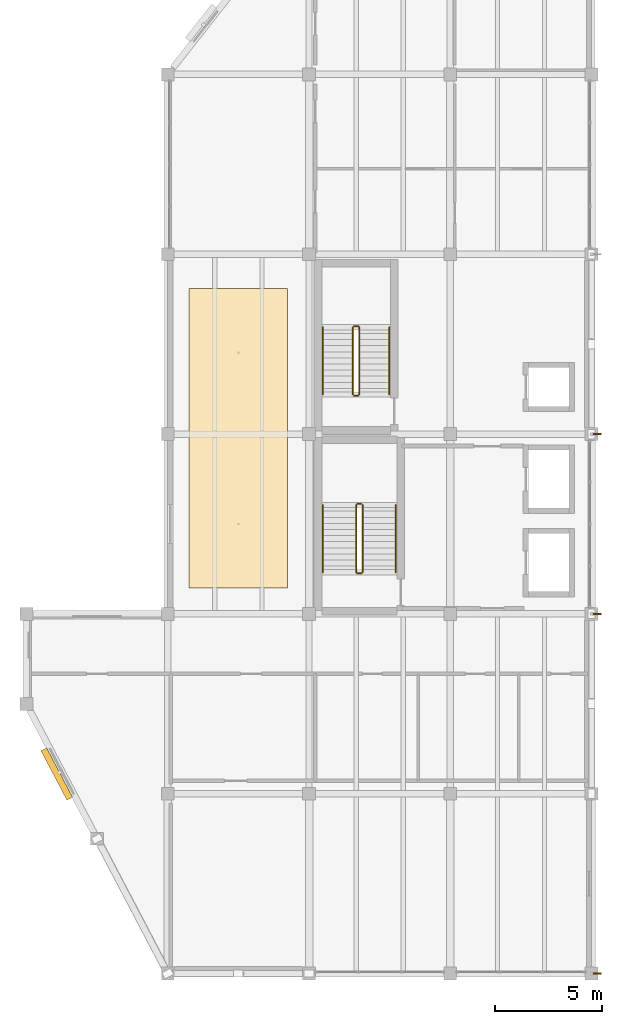
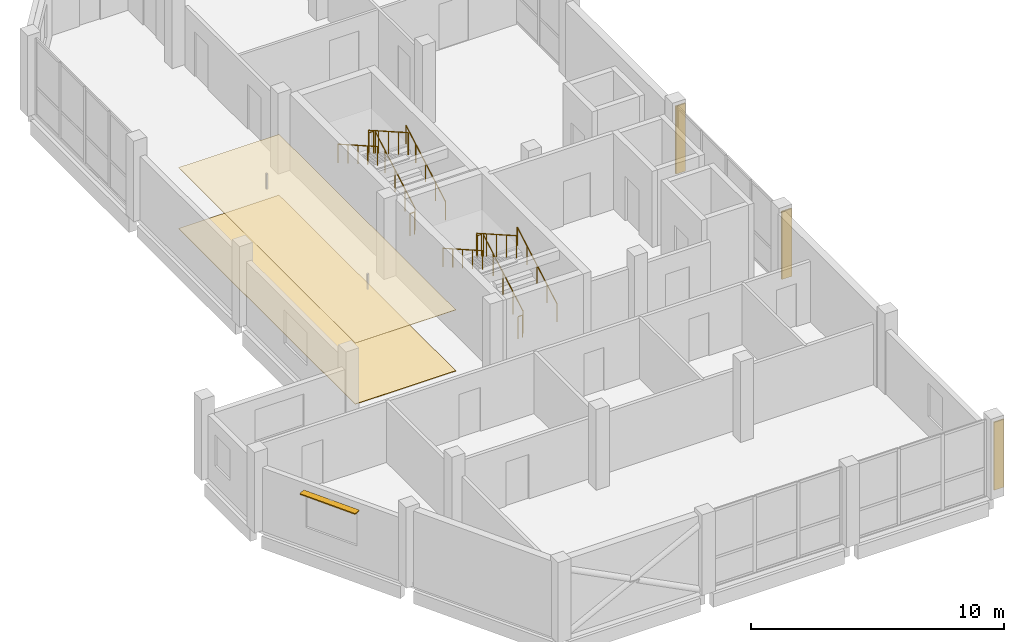
# One storey, part 11 of 12: 12 railings, 4 shading devices, 2 coverings.
"""IFC4 building model written with IfcOpenShell, lengths in metres."""

from ifc_helpers import new_model, si_unit, direction, frame, origin, origin_2d, place, context, subcontext, project, spatial, polyline, rectangle, circle, outline, extrude, material, layer, layer_set, type_object, element, save


model = new_model("IFC4")

# Units and contexts
model_context = context("Model", 3, precision=1e-05, world=origin(), true_north=direction((0.0, 1.0)))
body_context = subcontext(model_context, "Body", "Model", "MODEL_VIEW")
ifc_project = project(units=[si_unit("LENGTHUNIT", "METRE"), si_unit("AREAUNIT", "SQUARE_METRE"), si_unit("VOLUMEUNIT", "CUBIC_METRE"), si_unit("PLANEANGLEUNIT", "RADIAN"), si_unit("MASSUNIT", "GRAM", prefix="KILO")], contexts=[model_context])

# Site, building, storey
site_placement = place(None, origin())
site = spatial("IfcSite", under=ifc_project, at=site_placement, CompositionType="ELEMENT")
building_placement = place(site_placement, origin())
building = spatial("IfcBuilding", under=site, at=building_placement, Name="Qaldarim Faculty of Natural and Applied Sciences", CompositionType="ELEMENT")
storey_placement = place(building_placement, frame((0.0, 0.0, 35.39990234375)))
storey = spatial("IfcBuildingStorey", under=building, at=storey_placement, Name="L08", CompositionType="ELEMENT", Elevation=35.39990234375)

# Covering
ifc_material_1 = material(Name="Acoustic mineral fibre")
ifc_layer_1 = layer(ifc_material_1, 0.02001953125)
ifc_layer_set_1 = layer_set([ifc_layer_1], Name="Acoustic mineral fibre")
covering_type_1 = type_object("IfcCoveringType", Name="AcousticMineralCeiling-20", PredefinedType="CEILING", material=ifc_layer_set_1)
covering_1_placement = place(storey_placement, frame((0.0, 0.0, 2.9501953125)))
element("IfcCovering", 1, at=covering_1_placement, inside=storey, type_object=covering_type_1, Name="Acoustic corridor ceiling L08", PredefinedType="CEILING", context=body_context, shape_type="SweptSolid", body=[
    extrude(outline(polyline([(159.39990234375, 18.0), (164.0, 18.0), (164.0, 32.0), (159.39990234375, 32.0), (159.39990234375, 18.0)])), origin(), (0.0, 0.0, 1.0), 0.02001953125),
])

# Railings
ifc_material_2 = material(Name="Architectural stainless steel 316", Category="steel")
railing_type_1 = type_object("IfcRailingType", Name="GuardBalustrade-1100", PredefinedType="BALUSTRADE", material=ifc_material_2)
railing_1_placement = place(storey_placement, frame((167.5, 18.75, 0.16015625)))
element("IfcRailing", 2, at=railing_1_placement, inside=storey, type_object=railing_type_1, Name="ST-A1 L08 stair well guard 1", PredefinedType="BALUSTRADE", context=body_context, shape_type="SweptSolid", body=[
    extrude(circle(Radius=0.02392578125, at=origin_2d()), frame((0.0, 0.0, 1.076171875), z_axis=(0.0, 0.86840956187, 0.495847590346), x_axis=(-1.0, 0.0, 0.0)), (0.0, 0.0, 1.0), 3.610107421875),
    extrude(circle(Radius=0.02099609375, at=origin_2d()), origin(), (0.0, 0.0, 1.0), 1.052001953125),
    extrude(circle(Radius=0.02099609375, at=origin_2d()), frame((0.0, 0.78369140625, 0.447509765625)), (0.0, 0.0, 1.0), 1.052001953125),
    extrude(circle(Radius=0.02099609375, at=origin_2d()), frame((0.0, 1.5673828125, 0.89501953125)), (0.0, 0.0, 1.0), 1.052001953125),
    extrude(circle(Radius=0.02099609375, at=origin_2d()), frame((0.0, 2.351318359375, 1.342529296875)), (0.0, 0.0, 1.0), 1.052001953125),
    extrude(circle(Radius=0.02099609375, at=origin_2d()), frame((0.0, 3.135009765625, 1.7900390625)), (0.0, 0.0, 1.0), 1.052001953125),
])
railing_2_placement = place(storey_placement, frame((167.449951171875, 21.93505859375, 1.9501953125)))
element("IfcRailing", 3, at=railing_2_placement, inside=storey, type_object=railing_type_1, Name="ST-A1 L08 stair well guard 2", PredefinedType="BALUSTRADE", context=body_context, shape_type="SweptSolid", body=[
    extrude(circle(Radius=0.02392578125, at=origin_2d()), frame((0.0, 0.0, 1.076171875), z_axis=(-1.0, 0.0, 0.0), x_axis=(0.0, -1.0, 0.0)), (0.0, 0.0, 1.0), 0.199951171875),
    extrude(circle(Radius=0.02099609375, at=origin_2d()), origin(), (0.0, 0.0, 1.0), 1.052001953125),
    extrude(circle(Radius=0.02099609375, at=origin_2d()), frame((-0.199951171875, 0.0, 0.0)), (0.0, 0.0, 1.0), 1.052001953125),
])
railing_3_placement = place(storey_placement, frame((167.199951171875, 21.885009765625, 2.114990234375)))
element("IfcRailing", 4, at=railing_3_placement, inside=storey, type_object=railing_type_1, Name="ST-A1 L08 stair well guard 3", PredefinedType="BALUSTRADE", context=body_context, shape_type="SweptSolid", body=[
    extrude(circle(Radius=0.02392578125, at=origin_2d()), frame((0.0, 0.0, 1.076171875), z_axis=(0.0, -0.868991762121, 0.49482655281), x_axis=(1.0, 0.0, 0.0)), (0.0, 0.0, 1.0), 3.607666015625),
    extrude(circle(Radius=0.02099609375, at=origin_2d()), origin(), (0.0, 0.0, 1.0), 1.052001953125),
    extrude(circle(Radius=0.02099609375, at=origin_2d()), frame((0.0, -0.78369140625, 0.4462890625)), (0.0, 0.0, 1.0), 1.052001953125),
    extrude(circle(Radius=0.02099609375, at=origin_2d()), frame((0.0, -1.5673828125, 0.892578125)), (0.0, 0.0, 1.0), 1.052001953125),
    extrude(circle(Radius=0.02099609375, at=origin_2d()), frame((0.0, -2.351318359375, 1.3388671875)), (0.0, 0.0, 1.0), 1.052001953125),
    extrude(circle(Radius=0.02099609375, at=origin_2d()), frame((0.0, -3.135009765625, 1.78515625)), (0.0, 0.0, 1.0), 1.052001953125),
])
railing_4_placement = place(storey_placement, frame((167.449951171875, 18.699951171875, 0.0)))
element("IfcRailing", 5, at=railing_4_placement, inside=storey, type_object=railing_type_1, Name="ST-A1 L08 stair well guard 4", PredefinedType="BALUSTRADE", context=body_context, shape_type="SweptSolid", body=[
    extrude(circle(Radius=0.02392578125, at=origin_2d()), frame((0.0, 0.0, 1.076171875), z_axis=(-1.0, 0.0, 0.0), x_axis=(0.0, -1.0, 0.0)), (0.0, 0.0, 1.0), 0.199951171875),
    extrude(circle(Radius=0.02099609375, at=origin_2d()), origin(), (0.0, 0.0, 1.0), 1.052001953125),
    extrude(circle(Radius=0.02099609375, at=origin_2d()), frame((-0.199951171875, 0.0, 0.0)), (0.0, 0.0, 1.0), 1.052001953125),
])
railing_5_placement = place(storey_placement, frame((167.35009765625, 27.050048828125, 0.16015625)))
element("IfcRailing", 6, at=railing_5_placement, inside=storey, type_object=railing_type_1, Name="ST-A2 L08 stair well guard 1", PredefinedType="BALUSTRADE", context=body_context, shape_type="SweptSolid", body=[
    extrude(circle(Radius=0.02392578125, at=origin_2d()), frame((0.0, 0.0, 1.076171875), z_axis=(0.0, 0.86840956187, 0.495847590346), x_axis=(-1.0, 0.0, 0.0)), (0.0, 0.0, 1.0), 3.610107421875),
    extrude(circle(Radius=0.02099609375, at=origin_2d()), origin(), (0.0, 0.0, 1.0), 1.052001953125),
    extrude(circle(Radius=0.02099609375, at=origin_2d()), frame((0.0, 0.78369140625, 0.447509765625)), (0.0, 0.0, 1.0), 1.052001953125),
    extrude(circle(Radius=0.02099609375, at=origin_2d()), frame((0.0, 1.5673828125, 0.89501953125)), (0.0, 0.0, 1.0), 1.052001953125),
    extrude(circle(Radius=0.02099609375, at=origin_2d()), frame((0.0, 2.351318359375, 1.342529296875)), (0.0, 0.0, 1.0), 1.052001953125),
    extrude(circle(Radius=0.02099609375, at=origin_2d()), frame((0.0, 3.135009765625, 1.7900390625)), (0.0, 0.0, 1.0), 1.052001953125),
])
railing_6_placement = place(storey_placement, frame((167.300048828125, 30.235107421875, 1.9501953125)))
element("IfcRailing", 7, at=railing_6_placement, inside=storey, type_object=railing_type_1, Name="ST-A2 L08 stair well guard 2", PredefinedType="BALUSTRADE", context=body_context, shape_type="SweptSolid", body=[
    extrude(circle(Radius=0.02392578125, at=origin_2d()), frame((0.0, 0.0, 1.076171875), z_axis=(-1.0, 0.0, 0.0), x_axis=(0.0, -1.0, 0.0)), (0.0, 0.0, 1.0), 0.199951171875),
    extrude(circle(Radius=0.02099609375, at=origin_2d()), origin(), (0.0, 0.0, 1.0), 1.052001953125),
    extrude(circle(Radius=0.02099609375, at=origin_2d()), frame((-0.199951171875, 0.0, 0.0)), (0.0, 0.0, 1.0), 1.052001953125),
])
railing_7_placement = place(storey_placement, frame((167.050048828125, 30.18505859375, 2.114990234375)))
element("IfcRailing", 8, at=railing_7_placement, inside=storey, type_object=railing_type_1, Name="ST-A2 L08 stair well guard 3", PredefinedType="BALUSTRADE", context=body_context, shape_type="SweptSolid", body=[
    extrude(circle(Radius=0.02392578125, at=origin_2d()), frame((0.0, 0.0, 1.076171875), z_axis=(0.0, -0.868991762121, 0.49482655281), x_axis=(1.0, 0.0, 0.0)), (0.0, 0.0, 1.0), 3.607666015625),
    extrude(circle(Radius=0.02099609375, at=origin_2d()), origin(), (0.0, 0.0, 1.0), 1.052001953125),
    extrude(circle(Radius=0.02099609375, at=origin_2d()), frame((0.0, -0.78369140625, 0.4462890625)), (0.0, 0.0, 1.0), 1.052001953125),
    extrude(circle(Radius=0.02099609375, at=origin_2d()), frame((0.0, -1.5673828125, 0.892578125)), (0.0, 0.0, 1.0), 1.052001953125),
    extrude(circle(Radius=0.02099609375, at=origin_2d()), frame((0.0, -2.351318359375, 1.3388671875)), (0.0, 0.0, 1.0), 1.052001953125),
    extrude(circle(Radius=0.02099609375, at=origin_2d()), frame((0.0, -3.135009765625, 1.78515625)), (0.0, 0.0, 1.0), 1.052001953125),
])
railing_8_placement = place(storey_placement, frame((167.300048828125, 27.0, 0.0)))
element("IfcRailing", 9, at=railing_8_placement, inside=storey, type_object=railing_type_1, Name="ST-A2 L08 stair well guard 4", PredefinedType="BALUSTRADE", context=body_context, shape_type="SweptSolid", body=[
    extrude(circle(Radius=0.02392578125, at=origin_2d()), frame((0.0, 0.0, 1.076171875), z_axis=(-1.0, 0.0, 0.0), x_axis=(0.0, -1.0, 0.0)), (0.0, 0.0, 1.0), 0.199951171875),
    extrude(circle(Radius=0.02099609375, at=origin_2d()), origin(), (0.0, 0.0, 1.0), 1.052001953125),
    extrude(circle(Radius=0.02099609375, at=origin_2d()), frame((-0.199951171875, 0.0, 0.0)), (0.0, 0.0, 1.0), 1.052001953125),
])

# Shading device
ifc_material_3 = material(Name="Champagne anodised aluminium AW-6063", Category="aluminium")
ifc_layer_2 = layer(ifc_material_3, 0.050048828125)
ifc_layer_set_2 = layer_set([ifc_layer_2], Name="Champagne anodised aluminium AW-6063")
shading_device_type_1 = type_object("IfcShadingDeviceType", Name="SolarLouvre-ALU300x50", PredefinedType="JALOUSIE", material=ifc_layer_set_2)
shading_device_placement = place(storey_placement, frame((153.215087890625, 9.324951171875, 2.67529296875), z_axis=(0.0, 0.0, 1.0), x_axis=(0.46447113214, -0.885588260654, 0.0)))
element("IfcShadingDevice", 10, at=shading_device_placement, inside=storey, type_object=shading_device_type_1, Name="Oblique facade horizontal solar louvre SHD-OBL-SW-L08-1", PredefinedType="JALOUSIE", context=body_context, shape_type="SweptSolid", body=[
    extrude(rectangle(XDim=2.60009765625, YDim=0.300048828125, at=origin_2d()), origin(), (0.0, 0.0, 1.0), 0.050048828125),
])

# Railings
railing_type_2 = type_object("IfcRailingType", Name="StairHandrail-920", PredefinedType="HANDRAIL", material=ifc_material_2)
railing_9_placement = place(storey_placement, frame((169.050048828125, 18.75, 0.16015625)))
element("IfcRailing", 11, at=railing_9_placement, inside=storey, type_object=railing_type_2, Name="ST-A1 L08 stair handrail 1", PredefinedType="HANDRAIL", context=body_context, shape_type="SweptSolid", body=[
    extrude(circle(Radius=0.02392578125, at=origin_2d()), frame((0.0, 0.0, 0.89599609375), z_axis=(0.0, 0.86840956187, 0.495847590346), x_axis=(-1.0, 0.0, 0.0)), (0.0, 0.0, 1.0), 3.610107421875),
    extrude(circle(Radius=0.02099609375, at=origin_2d()), origin(), (0.0, 0.0, 1.0), 0.871826171875),
    extrude(circle(Radius=0.02099609375, at=origin_2d()), frame((0.0, 0.78369140625, 0.447509765625)), (0.0, 0.0, 1.0), 0.871826171875),
    extrude(circle(Radius=0.02099609375, at=origin_2d()), frame((0.0, 1.5673828125, 0.89501953125)), (0.0, 0.0, 1.0), 0.871826171875),
    extrude(circle(Radius=0.02099609375, at=origin_2d()), frame((0.0, 2.351318359375, 1.342529296875)), (0.0, 0.0, 1.0), 0.871826171875),
    extrude(circle(Radius=0.02099609375, at=origin_2d()), frame((0.0, 3.135009765625, 1.7900390625)), (0.0, 0.0, 1.0), 0.871826171875),
])
railing_10_placement = place(storey_placement, frame((165.64990234375, 21.885009765625, 2.114990234375)))
element("IfcRailing", 12, at=railing_10_placement, inside=storey, type_object=railing_type_2, Name="ST-A1 L08 stair handrail 2", PredefinedType="HANDRAIL", context=body_context, shape_type="SweptSolid", body=[
    extrude(circle(Radius=0.02392578125, at=origin_2d()), frame((0.0, 0.0, 0.89599609375), z_axis=(0.0, -0.868991762121, 0.49482655281), x_axis=(1.0, 0.0, 0.0)), (0.0, 0.0, 1.0), 3.607666015625),
    extrude(circle(Radius=0.02099609375, at=origin_2d()), origin(), (0.0, 0.0, 1.0), 0.871826171875),
    extrude(circle(Radius=0.02099609375, at=origin_2d()), frame((0.0, -0.78369140625, 0.4462890625)), (0.0, 0.0, 1.0), 0.871826171875),
    extrude(circle(Radius=0.02099609375, at=origin_2d()), frame((0.0, -1.5673828125, 0.892578125)), (0.0, 0.0, 1.0), 0.871826171875),
    extrude(circle(Radius=0.02099609375, at=origin_2d()), frame((0.0, -2.351318359375, 1.3388671875)), (0.0, 0.0, 1.0), 0.871826171875),
    extrude(circle(Radius=0.02099609375, at=origin_2d()), frame((0.0, -3.135009765625, 1.78515625)), (0.0, 0.0, 1.0), 0.871826171875),
])
railing_11_placement = place(storey_placement, frame((168.75, 27.050048828125, 0.16015625)))
element("IfcRailing", 13, at=railing_11_placement, inside=storey, type_object=railing_type_2, Name="ST-A2 L08 stair handrail 1", PredefinedType="HANDRAIL", context=body_context, shape_type="SweptSolid", body=[
    extrude(circle(Radius=0.02392578125, at=origin_2d()), frame((0.0, 0.0, 0.89599609375), z_axis=(0.0, 0.86840956187, 0.495847590346), x_axis=(-1.0, 0.0, 0.0)), (0.0, 0.0, 1.0), 3.610107421875),
    extrude(circle(Radius=0.02099609375, at=origin_2d()), origin(), (0.0, 0.0, 1.0), 0.871826171875),
    extrude(circle(Radius=0.02099609375, at=origin_2d()), frame((0.0, 0.78369140625, 0.447509765625)), (0.0, 0.0, 1.0), 0.871826171875),
    extrude(circle(Radius=0.02099609375, at=origin_2d()), frame((0.0, 1.5673828125, 0.89501953125)), (0.0, 0.0, 1.0), 0.871826171875),
    extrude(circle(Radius=0.02099609375, at=origin_2d()), frame((0.0, 2.351318359375, 1.342529296875)), (0.0, 0.0, 1.0), 0.871826171875),
    extrude(circle(Radius=0.02099609375, at=origin_2d()), frame((0.0, 3.135009765625, 1.7900390625)), (0.0, 0.0, 1.0), 0.871826171875),
])
railing_12_placement = place(storey_placement, frame((165.64990234375, 30.18505859375, 2.114990234375)))
element("IfcRailing", 14, at=railing_12_placement, inside=storey, type_object=railing_type_2, Name="ST-A2 L08 stair handrail 2", PredefinedType="HANDRAIL", context=body_context, shape_type="SweptSolid", body=[
    extrude(circle(Radius=0.02392578125, at=origin_2d()), frame((0.0, 0.0, 0.89599609375), z_axis=(0.0, -0.868991762121, 0.49482655281), x_axis=(1.0, 0.0, 0.0)), (0.0, 0.0, 1.0), 3.607666015625),
    extrude(circle(Radius=0.02099609375, at=origin_2d()), origin(), (0.0, 0.0, 1.0), 0.871826171875),
    extrude(circle(Radius=0.02099609375, at=origin_2d()), frame((0.0, -0.78369140625, 0.4462890625)), (0.0, 0.0, 1.0), 0.871826171875),
    extrude(circle(Radius=0.02099609375, at=origin_2d()), frame((0.0, -1.5673828125, 0.892578125)), (0.0, 0.0, 1.0), 0.871826171875),
    extrude(circle(Radius=0.02099609375, at=origin_2d()), frame((0.0, -2.351318359375, 1.3388671875)), (0.0, 0.0, 1.0), 0.871826171875),
    extrude(circle(Radius=0.02099609375, at=origin_2d()), frame((0.0, -3.135009765625, 1.78515625)), (0.0, 0.0, 1.0), 0.871826171875),
])

# Covering
ifc_material_4 = material(Name="Terrazzo stone finish", Category="masonry")
ifc_layer_3 = layer(ifc_material_4, 0.02490234375)
ifc_layer_set_3 = layer_set([ifc_layer_3], Name="Terrazzo stone finish")
covering_type_2 = type_object("IfcCoveringType", Name="TerrazzoFlooring-25", PredefinedType="FLOORING", material=ifc_layer_set_3)
covering_2_placement = place(storey_placement, origin())
element("IfcCovering", 15, at=covering_2_placement, inside=storey, type_object=covering_type_2, Name="Polished terrazzo corridor flooring L08", PredefinedType="FLOORING", context=body_context, shape_type="SweptSolid", body=[
    extrude(outline(polyline([(159.39990234375, 18.0), (164.0, 18.0), (164.0, 32.0), (159.39990234375, 32.0), (159.39990234375, 18.0)])), origin(), (0.0, 0.0, 1.0), 0.025146484375),
])

# Shading devices
ifc_layer_4 = layer(ifc_material_3, 0.06005859375)
ifc_layer_set_4 = layer_set([ifc_layer_4], Name="Champagne anodised aluminium AW-6063")
shading_device_type_2 = type_object("IfcShadingDeviceType", Name="VerticalSunFin-ALU450x60", PredefinedType="SHUTTER", material=ifc_layer_set_4)
for number, where, z_axis, x_axis, name in (
    (16, (178.425048828125, 0.0, 0.2001953125), (0.0, 0.0, 1.0), (1.0, 0.0, 0.0), "Tower solar fin FIN-V5E-L08-Y01"),
    (17, (178.425048828125, 16.800048828125, 0.2001953125), (0.0, 0.0, 1.0), (1.0, 0.0, 0.0), "Tower solar fin FIN-V5E-L08-Y03"),
    (18, (178.425048828125, 25.199951171875, 0.2001953125), (0.0, 0.0, 1.0), (1.0, 0.0, 0.0), "Tower solar fin FIN-V5E-L08-Y04"),
):
    element("IfcShadingDevice", number, at=place(storey_placement, frame(where, z_axis=z_axis, x_axis=x_axis)), inside=storey, type_object=shading_device_type_2, Name=name, PredefinedType="SHUTTER", context=body_context, shape_type="SweptSolid", body=[
        extrude(rectangle(XDim=0.449951171875, YDim=0.06005859375, at=origin_2d()), origin(), (0.0, 0.0, 1.0), 3.280029296875),
    ])

save(model, "model.ifc")
